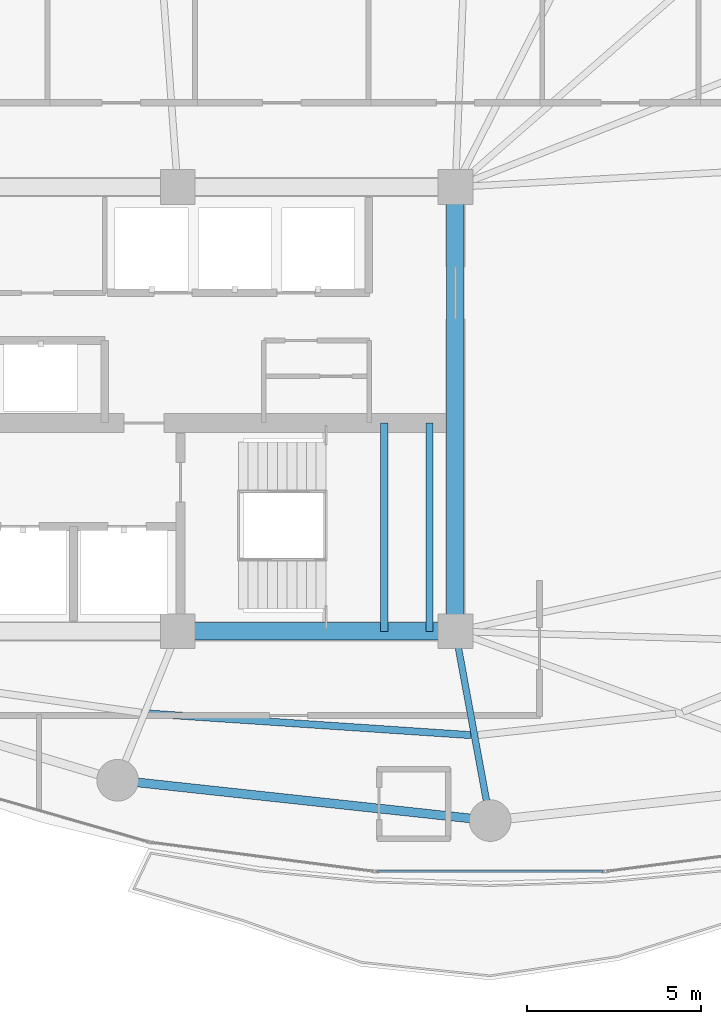
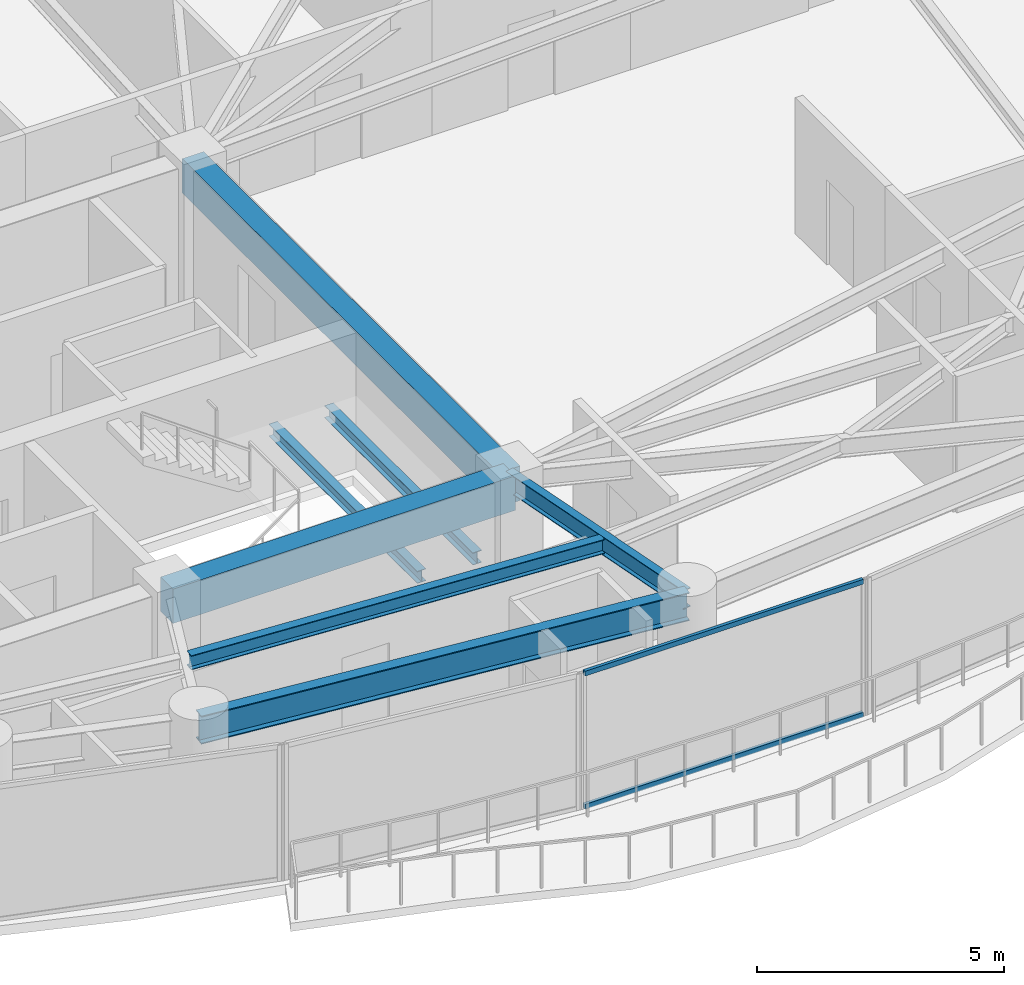
# One storey, part 6 of 30: 7 beams, 2 members, 1 element without a shape of its own.
"""IFC4 building model written with IfcOpenShell, lengths in metres."""

from ifc_helpers import new_model, si_unit, direction, frame, origin, origin_2d, place, context, subcontext, project, spatial, rectangle, hollow_rectangle, i_section, extrude, material, layer, layer_set, material_profile, profile_set, type_object, element, aggregate, save


model = new_model("IFC4")

# Units and contexts
model_context = context("Model", 3, precision=1e-05, world=origin(), true_north=direction((0.0, 1.0)))
body_context = subcontext(model_context, "Body", "Model", "MODEL_VIEW")
ifc_project = project(units=[si_unit("LENGTHUNIT", "METRE"), si_unit("AREAUNIT", "SQUARE_METRE"), si_unit("VOLUMEUNIT", "CUBIC_METRE"), si_unit("PLANEANGLEUNIT", "RADIAN"), si_unit("MASSUNIT", "GRAM", prefix="KILO")], contexts=[model_context])

# Site, building, storey
site_placement = place(None, origin())
site = spatial("IfcSite", under=ifc_project, at=site_placement, CompositionType="ELEMENT")
building_placement = place(site_placement, origin())
building = spatial("IfcBuilding", under=site, at=building_placement, Name="Kazevale Care Tower and Concert Hall", CompositionType="ELEMENT")
storey_placement = place(building_placement, frame((0.0, 0.0, 113.39990234375)))
storey = spatial("IfcBuildingStorey", under=building, at=storey_placement, Name="L29", CompositionType="ELEMENT", Elevation=113.39990234375)

# Curtain wall, members
ifc_material_1 = material(Name="Aluminium 6063-T6 and Low-E Glass", Category="aluminium")
ifc_layer = layer(ifc_material_1, 0.179931640625)
ifc_layer_set = layer_set([ifc_layer], Name="Aluminium 6063-T6 and Low-E Glass")
curtain_wall_type = type_object("IfcCurtainWallType", Name="Sheltered Concave Balcony Curtain Wall CW-5", PredefinedType="NOTDEFINED", material=ifc_layer_set)
curtain_wall_placement = place(storey_placement, origin())
curtain_wall = element("IfcCurtainWall", 1, at=curtain_wall_placement, inside=storey, type_object=curtain_wall_type, Name="cw:L29:f06", PredefinedType="NOTDEFINED")
ifc_material_2 = material(Name="Aluminium 6063-T6", Category="aluminium")
ifc_material_profile_1 = material_profile(ifc_material_2, hollow_rectangle(XDim=0.074951171875, YDim=0.1201171875, WallThickness=0.00390625, at=origin_2d()), Name="ALU75x120x4")
ifc_profile_set_1 = profile_set([ifc_material_profile_1], Name="Aluminium 6063-T6")
member_type = type_object("IfcMemberType", Name="CW-5 Transom ALU75x120x4", PredefinedType="USERDEFINED", material=ifc_profile_set_1)
member_1_placement = place(storey_placement, frame((48.25, 16.68408203125, 0.03759765625), z_axis=(-1.0, 0.0, 0.0), x_axis=(0.0, -1.0, 0.0)))
member_1 = element("IfcMember", 2, at=member_1_placement, type_object=member_type, Name="CW-5 transom 1.1", ObjectType="TRANSOM", PredefinedType="USERDEFINED", context=body_context, shape_type="SweptSolid", body=[
    extrude(hollow_rectangle(XDim=0.074951171875, YDim=0.1201171875, WallThickness=0.00390625, at=origin_2d()), origin(), (0.0, 0.0, 1.0), 6.5),
])
member_2_placement = place(storey_placement, frame((48.25, 16.68408203125, 3.322509765625), z_axis=(-1.0, 0.0, 0.0), x_axis=(0.0, -1.0, 0.0)))
member_2 = element("IfcMember", 3, at=member_2_placement, type_object=member_type, Name="CW-5 transom 1.2", ObjectType="TRANSOM", PredefinedType="USERDEFINED", context=body_context, shape_type="SweptSolid", body=[
    extrude(hollow_rectangle(XDim=0.074951171875, YDim=0.1201171875, WallThickness=0.00390625, at=origin_2d()), origin(), (0.0, 0.0, 1.0), 6.5),
])
aggregate(curtain_wall, [member_1, member_2])

# Beams
ifc_material_3 = material(Name="Concrete C60", Category="concrete")
ifc_material_profile_2 = material_profile(ifc_material_3, rectangle(XDim=0.5, YDim=0.85009765625, at=origin_2d()), Name="RC-B500x850")
ifc_profile_set_2 = profile_set([ifc_material_profile_2], Name="Concrete C60")
beam_type_1 = type_object("IfcBeamType", Name="Core Coupling Beam RC500x850", PredefinedType="LINTEL", material=ifc_profile_set_2)
beam_1_placement = place(storey_placement, frame((36.0, 23.60009765625, 2.93505859375), z_axis=(1.0, 0.0, 0.0), x_axis=(0.0, 1.0, 0.0)))
element("IfcBeam", 4, at=beam_1_placement, inside=storey, type_object=beam_type_1, Name="beam:L29:coretie:3", PredefinedType="LINTEL", context=body_context, shape_type="SweptSolid", body=[
    extrude(rectangle(XDim=0.5, YDim=0.85009765625, at=origin_2d()), origin(), (0.0, 0.0, 1.0), 8.0),
])
beam_2_placement = place(storey_placement, frame((44.0, 23.60009765625, 2.93505859375), z_axis=(0.0, 1.0, 0.0), x_axis=(-1.0, 0.0, 0.0)))
element("IfcBeam", 5, at=beam_2_placement, inside=storey, type_object=beam_type_1, Name="beam:L29:coretie:4", PredefinedType="LINTEL", context=body_context, shape_type="SweptSolid", body=[
    extrude(rectangle(XDim=0.5, YDim=0.85009765625, at=origin_2d()), origin(), (0.0, 0.0, 1.0), 12.7998046875),
])
ifc_material_4 = material(Name="Steel ASTM A572 Gr 50", Category="steel")
ifc_material_profile_3 = material_profile(ifc_material_4, i_section(OverallWidth=0.19091796875, OverallDepth=0.4599609375, WebThickness=0.010009765625, FlangeThickness=0.01611328125, at=origin_2d()), Name="W460x82")
ifc_profile_set_3 = profile_set([ifc_material_profile_3], Name="Steel ASTM A572 Gr 50")
beam_type_2 = type_object("IfcBeamType", Name="Radial Floor Beam W460x82", PredefinedType="BEAM", material=ifc_profile_set_3)
beam_3_placement = place(storey_placement, frame((44.0, 23.60009765625, 3.130126953125), z_axis=(0.180467114023, -0.983581018908, 0.0), x_axis=(0.983581018908, 0.180467114023, 0.0)))
element("IfcBeam", 6, at=beam_3_placement, inside=storey, type_object=beam_type_2, Name="beam:L29:rad:13", PredefinedType="BEAM", context=body_context, shape_type="SweptSolid", body=[
    extrude(i_section(OverallWidth=0.19091796875, OverallDepth=0.4599609375, WebThickness=0.010009765625, FlangeThickness=0.01611328125, at=origin_2d()), origin(), (0.0, 0.0, 1.0), 5.541259765625),
])
ifc_material_profile_4 = material_profile(ifc_material_4, i_section(OverallWidth=0.205078125, OverallDepth=0.35400390625, WebThickness=0.009521484375, FlangeThickness=0.016845703125, at=origin_2d()), Name="W360x79")
ifc_profile_set_4 = profile_set([ifc_material_profile_4], Name="Steel ASTM A572 Gr 50")
beam_type_3 = type_object("IfcBeamType", Name="Secondary Floor Joist W360x79", PredefinedType="JOIST", material=ifc_profile_set_4)
beam_4_placement = place(storey_placement, frame((35.153076171875, 21.23291015625, 3.18310546875), z_axis=(0.997761314569, -0.06687569925, 0.0), x_axis=(0.06687569925, 0.997761314569, 0.0)))
element("IfcBeam", 7, at=beam_4_placement, inside=storey, type_object=beam_type_3, Name="beam:L29:joist:12", PredefinedType="JOIST", context=body_context, shape_type="SweptSolid", body=[
    extrude(i_section(OverallWidth=0.205078125, OverallDepth=0.35400390625, WebThickness=0.009521484375, FlangeThickness=0.016845703125, at=origin_2d()), origin(), (0.0, 0.0, 1.0), 9.312744140625),
])
ifc_material_profile_5 = material_profile(ifc_material_4, i_section(OverallWidth=0.202880859375, OverallDepth=0.302978515625, WebThickness=0.007568359375, FlangeThickness=0.01318359375, at=origin_2d()), Name="W310x60")
ifc_profile_set_5 = profile_set([ifc_material_profile_5], Name="Steel ASTM A572 Gr 50")
beam_type_4 = type_object("IfcBeamType", Name="Stair & Balcony Trimmer W310x60", PredefinedType="BEAM", material=ifc_profile_set_5)
for number, where, z_axis, x_axis, name in (
    (8, (41.949951171875, 23.60009765625, 1.448486328125), (0.0, 1.0, 0.0), (-1.0, 0.0, 0.0), "beam:L29:sttrim:ST2"),
    (9, (43.25, 23.60009765625, 1.448486328125), (0.0, 1.0, 0.0), (-1.0, 0.0, 0.0), "beam:L29:sttrim:ST2b"),
):
    element("IfcBeam", number, at=place(storey_placement, frame(where, z_axis=z_axis, x_axis=x_axis)), inside=storey, type_object=beam_type_4, Name=name, PredefinedType="BEAM", context=body_context, shape_type="SweptSolid", body=[
        extrude(i_section(OverallWidth=0.202880859375, OverallDepth=0.302978515625, WebThickness=0.007568359375, FlangeThickness=0.01318359375, at=origin_2d()), origin(), (0.0, 0.0, 1.0), 6.0),
    ])
ifc_material_profile_6 = material_profile(ifc_material_4, i_section(OverallWidth=0.256103515625, OverallDepth=0.693115234375, WebThickness=0.014404296875, FlangeThickness=0.023681640625, at=origin_2d()), Name="W690x170")
ifc_profile_set_6 = profile_set([ifc_material_profile_6], Name="Steel ASTM A572 Gr 50")
beam_type_5 = type_object("IfcBeamType", Name="Waist Ring Beam W690x170", PredefinedType="BEAM", material=ifc_profile_set_6)
beam_5_placement = place(storey_placement, frame((34.27001953125, 19.31005859375, 3.013671875), z_axis=(0.994205479487, -0.107496346724, 0.0), x_axis=(0.107496346724, 0.994205479487, 0.0)))
element("IfcBeam", 10, at=beam_5_placement, inside=storey, type_object=beam_type_5, Name="beam:L29:ring:12", PredefinedType="BEAM", context=body_context, shape_type="SweptSolid", body=[
    extrude(i_section(OverallWidth=0.256103515625, OverallDepth=0.693115234375, WebThickness=0.014404296875, FlangeThickness=0.023681640625, at=origin_2d()), origin(), (0.0, 0.0, 1.0), 10.79248046875),
])

save(model, "model.ifc")
